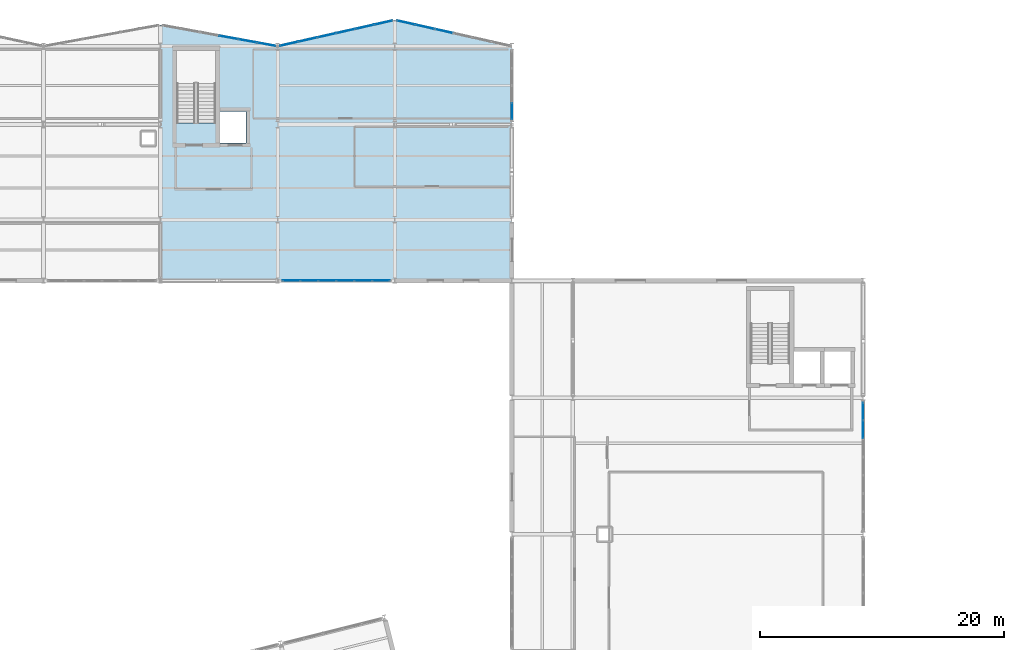
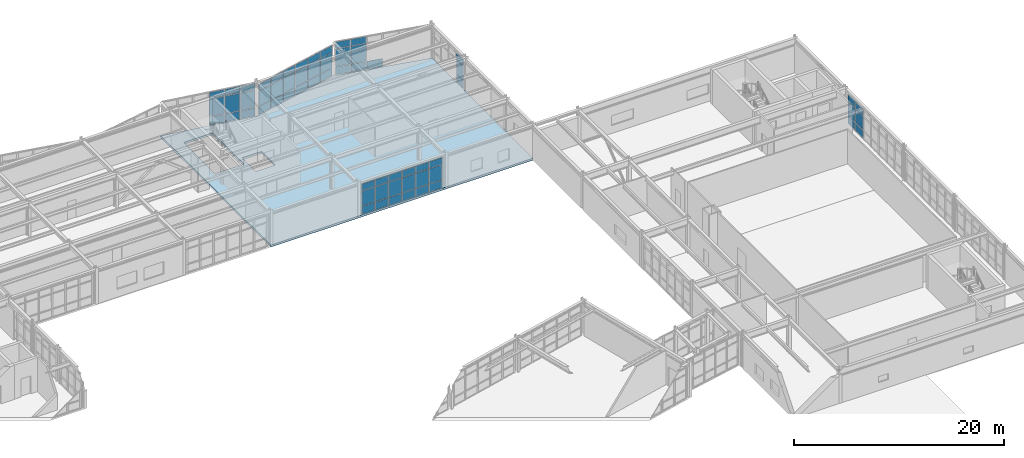
# One storey, part 61 of 88: 61 plates, 1 slab, 6 elements without a shape of their own.
"""IFC4 building model written with IfcOpenShell, lengths in metres."""

from ifc_helpers import new_model, si_unit, direction, frame, origin, origin_2d, place, context, subcontext, project, spatial, polyline, rectangle, outline, extrude, material, layer, layer_set, type_object, element, aggregate, save


model = new_model("IFC4")

# Units and contexts
model_context = context("Model", 3, precision=1e-05, world=origin(), true_north=direction((0.0, 1.0)))
body_context = subcontext(model_context, "Body", "Model", "MODEL_VIEW")
ifc_project = project(units=[si_unit("LENGTHUNIT", "METRE"), si_unit("AREAUNIT", "SQUARE_METRE"), si_unit("VOLUMEUNIT", "CUBIC_METRE"), si_unit("PLANEANGLEUNIT", "RADIAN"), si_unit("MASSUNIT", "GRAM", prefix="KILO")], contexts=[model_context])

# Site, building, storey
site_placement = place(None, origin())
site = spatial("IfcSite", under=ifc_project, at=site_placement, CompositionType="ELEMENT")
building_placement = place(site_placement, origin())
building = spatial("IfcBuilding", under=site, at=building_placement, Name="Nordkorset Police Headquarters", CompositionType="ELEMENT")
storey_placement = place(building_placement, frame((0.0, 0.0, 9.449951171875)))
storey = spatial("IfcBuildingStorey", under=building, at=storey_placement, Name="L02", CompositionType="ELEMENT", Elevation=9.449951171875)

# Curtain wall, plates
ifc_material_1 = material(Name="Aluminium alloy AW-6060", Category="aluminium")
ifc_layer_1 = layer(ifc_material_1, 0.179931640625, Name="Aluminium alloy AW-6060")
ifc_layer_set_1 = layer_set([ifc_layer_1], Name="Aluminium alloy AW-6060")
curtain_wall_type_1 = type_object("IfcCurtainWallType", Name="CW_Unit_948x392", PredefinedType="USERDEFINED", material=ifc_layer_set_1)
curtain_wall_1_placement = place(storey_placement, origin())
curtain_wall_1 = element("IfcCurtainWall", 1, at=curtain_wall_1_placement, inside=storey, type_object=curtain_wall_type_1, Name="Unitised Curtain Wall L02 V2N-3", ObjectType="UNITISED CURTAIN WALL", PredefinedType="USERDEFINED")
ifc_material_2 = material(Name="Low-iron triple glazing", Category="glass")
ifc_layer_2 = layer(ifc_material_2, 0.035888671875, Name="Low-iron triple glazing")
ifc_layer_set_2 = layer_set([ifc_layer_2], Name="Low-iron triple glazing")
plate_type = type_object("IfcPlateType", Name="CW_Panel_TripleGlazing_36", PredefinedType="CURTAIN_PANEL", material=ifc_layer_set_2)
plate_1_placement = place(storey_placement, frame((63.177001953125, 117.533447265625, 0.06494140625), z_axis=(0.0, 0.0, 1.0), x_axis=(0.983787934979, -0.179335715876, 0.0)))
plate_1 = element("IfcPlate", 2, at=plate_1_placement, type_object=plate_type, Name="CW-65 panel 4.1", PredefinedType="CURTAIN_PANEL", context=body_context, shape_type="SweptSolid", body=[
    extrude(rectangle(XDim=1.5146484375, YDim=0.035888671875, at=origin_2d()), origin(), (0.0, 0.0, 1.0), 0.902587890625),
])
plate_2_placement = place(storey_placement, frame((63.177001953125, 117.533447265625, 1.03271484375), z_axis=(0.0, 0.0, 1.0), x_axis=(0.983787934979, -0.179335715876, 0.0)))
plate_2 = element("IfcPlate", 3, at=plate_2_placement, type_object=plate_type, Name="CW-65 panel 4.2", PredefinedType="CURTAIN_PANEL", context=body_context, shape_type="SweptSolid", body=[
    extrude(rectangle(XDim=1.5146484375, YDim=0.035888671875, at=origin_2d()), origin(), (0.0, 0.0, 1.0), 2.0048828125),
])
plate_3_placement = place(storey_placement, frame((63.177001953125, 117.533447265625, 3.1025390625), z_axis=(0.0, 0.0, 1.0), x_axis=(0.983787934979, -0.179335715876, 0.0)))
plate_3 = element("IfcPlate", 4, at=plate_3_placement, type_object=plate_type, Name="CW-65 panel 4.3", PredefinedType="CURTAIN_PANEL", context=body_context, shape_type="SweptSolid", body=[
    extrude(rectangle(XDim=1.5146484375, YDim=0.035888671875, at=origin_2d()), origin(), (0.0, 0.0, 1.0), 0.75244140625),
])
plate_4_placement = place(storey_placement, frame((64.731201171875, 117.25, 0.06494140625), z_axis=(0.0, 0.0, 1.0), x_axis=(0.983787934979, -0.179335715876, 0.0)))
plate_4 = element("IfcPlate", 5, at=plate_4_placement, type_object=plate_type, Name="CW-65 panel 5.1", PredefinedType="CURTAIN_PANEL", context=body_context, shape_type="SweptSolid", body=[
    extrude(rectangle(XDim=1.5146484375, YDim=0.035888671875, at=origin_2d()), origin(), (0.0, 0.0, 1.0), 0.902587890625),
])
plate_5_placement = place(storey_placement, frame((64.731201171875, 117.25, 1.03271484375), z_axis=(0.0, 0.0, 1.0), x_axis=(0.983787934979, -0.179335715876, 0.0)))
plate_5 = element("IfcPlate", 6, at=plate_5_placement, type_object=plate_type, Name="CW-65 panel 5.2", PredefinedType="CURTAIN_PANEL", context=body_context, shape_type="SweptSolid", body=[
    extrude(rectangle(XDim=1.5146484375, YDim=0.035888671875, at=origin_2d()), origin(), (0.0, 0.0, 1.0), 2.0048828125),
])
plate_6_placement = place(storey_placement, frame((64.731201171875, 117.25, 3.1025390625), z_axis=(0.0, 0.0, 1.0), x_axis=(0.983787934979, -0.179335715876, 0.0)))
plate_6 = element("IfcPlate", 7, at=plate_6_placement, type_object=plate_type, Name="CW-65 panel 5.3", PredefinedType="CURTAIN_PANEL", context=body_context, shape_type="SweptSolid", body=[
    extrude(rectangle(XDim=1.5146484375, YDim=0.035888671875, at=origin_2d()), origin(), (0.0, 0.0, 1.0), 0.75244140625),
])
plate_7_placement = place(storey_placement, frame((66.269287109375, 116.9697265625, 0.06494140625), z_axis=(0.0, 0.0, 1.0), x_axis=(0.983787934979, -0.179335715876, 0.0)))
plate_7 = element("IfcPlate", 8, at=plate_7_placement, type_object=plate_type, Name="CW-65 panel 6.1", PredefinedType="CURTAIN_PANEL", context=body_context, shape_type="SweptSolid", body=[
    extrude(rectangle(XDim=1.482177734375, YDim=0.035888671875, at=origin_2d()), origin(), (0.0, 0.0, 1.0), 0.902587890625),
])
plate_8_placement = place(storey_placement, frame((66.269287109375, 116.9697265625, 1.03271484375), z_axis=(0.0, 0.0, 1.0), x_axis=(0.983787934979, -0.179335715876, 0.0)))
plate_8 = element("IfcPlate", 9, at=plate_8_placement, type_object=plate_type, Name="CW-65 panel 6.2", PredefinedType="CURTAIN_PANEL", context=body_context, shape_type="SweptSolid", body=[
    extrude(rectangle(XDim=1.482177734375, YDim=0.035888671875, at=origin_2d()), origin(), (0.0, 0.0, 1.0), 2.0048828125),
])
plate_9_placement = place(storey_placement, frame((66.269287109375, 116.9697265625, 3.1025390625), z_axis=(0.0, 0.0, 1.0), x_axis=(0.983787934979, -0.179335715876, 0.0)))
plate_9 = element("IfcPlate", 10, at=plate_9_placement, type_object=plate_type, Name="CW-65 panel 6.3", PredefinedType="CURTAIN_PANEL", context=body_context, shape_type="SweptSolid", body=[
    extrude(rectangle(XDim=1.482177734375, YDim=0.035888671875, at=origin_2d()), origin(), (0.0, 0.0, 1.0), 0.75244140625),
])
aggregate(curtain_wall_1, [plate_1, plate_2, plate_3, plate_4, plate_5, plate_6, plate_7, plate_8, plate_9])

ifc_material_3 = material(Name="Aluminium alloy AW-6060", Category="aluminium")
ifc_layer_3 = layer(ifc_material_3, 0.179931640625, Name="Aluminium alloy AW-6060")
ifc_layer_set_3 = layer_set([ifc_layer_3], Name="Aluminium alloy AW-6060")
curtain_wall_type_2 = type_object("IfcCurtainWallType", Name="CW_Unit_956x364", PredefinedType="USERDEFINED", material=ifc_layer_set_3)
curtain_wall_2_placement = place(storey_placement, origin())
curtain_wall_2 = element("IfcCurtainWall", 11, at=curtain_wall_2_placement, inside=storey, type_object=curtain_wall_type_2, Name="Unitised Curtain Wall L02 V2N-4", ObjectType="UNITISED CURTAIN WALL", PredefinedType="USERDEFINED")
plate_10_placement = place(storey_placement, frame((68.129638671875, 117.00830078125, 0.06494140625), z_axis=(0.0, 0.0, 1.0), x_axis=(0.975827090814, 0.218544020358, 0.0)))
plate_10 = element("IfcPlate", 12, at=plate_10_placement, type_object=plate_type, Name="CW-36 panel 1.1", PredefinedType="CURTAIN_PANEL", context=body_context, shape_type="SweptSolid", body=[
    extrude(rectangle(XDim=1.495361328125, YDim=0.035888671875, at=origin_2d()), origin(), (0.0, 0.0, 1.0), 0.902587890625),
])
plate_11_placement = place(storey_placement, frame((68.129638671875, 117.00830078125, 1.032470703125), z_axis=(0.0, 0.0, 1.0), x_axis=(0.975827090814, 0.218544020358, 0.0)))
plate_11 = element("IfcPlate", 13, at=plate_11_placement, type_object=plate_type, Name="CW-36 panel 1.2", PredefinedType="CURTAIN_PANEL", context=body_context, shape_type="SweptSolid", body=[
    extrude(rectangle(XDim=1.495361328125, YDim=0.035888671875, at=origin_2d()), origin(), (0.0, 0.0, 1.0), 1.72509765625),
])
plate_12_placement = place(storey_placement, frame((68.129638671875, 117.00830078125, 2.822509765625), z_axis=(0.0, 0.0, 1.0), x_axis=(0.975827090814, 0.218544020358, 0.0)))
plate_12 = element("IfcPlate", 14, at=plate_12_placement, type_object=plate_type, Name="CW-36 panel 1.3", PredefinedType="CURTAIN_PANEL", context=body_context, shape_type="SweptSolid", body=[
    extrude(rectangle(XDim=1.495361328125, YDim=0.035888671875, at=origin_2d()), origin(), (0.0, 0.0, 1.0), 0.75244140625),
])
plate_13_placement = place(storey_placement, frame((69.668212890625, 117.352783203125, 0.06494140625), z_axis=(0.0, 0.0, 1.0), x_axis=(0.975827090814, 0.218544020358, 0.0)))
plate_13 = element("IfcPlate", 15, at=plate_13_placement, type_object=plate_type, Name="CW-36 panel 2.1", PredefinedType="CURTAIN_PANEL", context=body_context, shape_type="SweptSolid", body=[
    extrude(rectangle(XDim=1.528076171875, YDim=0.035888671875, at=origin_2d()), origin(), (0.0, 0.0, 1.0), 0.902587890625),
])
plate_14_placement = place(storey_placement, frame((69.668212890625, 117.352783203125, 1.032470703125), z_axis=(0.0, 0.0, 1.0), x_axis=(0.975827090814, 0.218544020358, 0.0)))
plate_14 = element("IfcPlate", 16, at=plate_14_placement, type_object=plate_type, Name="CW-36 panel 2.2", PredefinedType="CURTAIN_PANEL", context=body_context, shape_type="SweptSolid", body=[
    extrude(rectangle(XDim=1.528076171875, YDim=0.035888671875, at=origin_2d()), origin(), (0.0, 0.0, 1.0), 1.72509765625),
])
plate_15_placement = place(storey_placement, frame((69.668212890625, 117.352783203125, 2.822509765625), z_axis=(0.0, 0.0, 1.0), x_axis=(0.975827090814, 0.218544020358, 0.0)))
plate_15 = element("IfcPlate", 17, at=plate_15_placement, type_object=plate_type, Name="CW-36 panel 2.3", PredefinedType="CURTAIN_PANEL", context=body_context, shape_type="SweptSolid", body=[
    extrude(rectangle(XDim=1.528076171875, YDim=0.035888671875, at=origin_2d()), origin(), (0.0, 0.0, 1.0), 0.75244140625),
])
plate_16_placement = place(storey_placement, frame((71.22265625, 117.700927734375, 0.06494140625), z_axis=(0.0, 0.0, 1.0), x_axis=(0.975827090814, 0.218544020358, 0.0)))
plate_16 = element("IfcPlate", 18, at=plate_16_placement, type_object=plate_type, Name="CW-36 panel 3.1", PredefinedType="CURTAIN_PANEL", context=body_context, shape_type="SweptSolid", body=[
    extrude(rectangle(XDim=1.528076171875, YDim=0.035888671875, at=origin_2d()), origin(), (0.0, 0.0, 1.0), 0.902587890625),
])
plate_17_placement = place(storey_placement, frame((71.22265625, 117.700927734375, 1.032470703125), z_axis=(0.0, 0.0, 1.0), x_axis=(0.975827090814, 0.218544020358, 0.0)))
plate_17 = element("IfcPlate", 19, at=plate_17_placement, type_object=plate_type, Name="CW-36 panel 3.2", PredefinedType="CURTAIN_PANEL", context=body_context, shape_type="SweptSolid", body=[
    extrude(rectangle(XDim=1.528076171875, YDim=0.035888671875, at=origin_2d()), origin(), (0.0, 0.0, 1.0), 1.72509765625),
])
plate_18_placement = place(storey_placement, frame((71.22265625, 117.700927734375, 2.822509765625), z_axis=(0.0, 0.0, 1.0), x_axis=(0.975827090814, 0.218544020358, 0.0)))
plate_18 = element("IfcPlate", 20, at=plate_18_placement, type_object=plate_type, Name="CW-36 panel 3.3", PredefinedType="CURTAIN_PANEL", context=body_context, shape_type="SweptSolid", body=[
    extrude(rectangle(XDim=1.528076171875, YDim=0.035888671875, at=origin_2d()), origin(), (0.0, 0.0, 1.0), 0.75244140625),
])
plate_19_placement = place(storey_placement, frame((72.77734375, 118.049072265625, 0.06494140625), z_axis=(0.0, 0.0, 1.0), x_axis=(0.975827090814, 0.218544020358, 0.0)))
plate_19 = element("IfcPlate", 21, at=plate_19_placement, type_object=plate_type, Name="CW-36 panel 4.1", PredefinedType="CURTAIN_PANEL", context=body_context, shape_type="SweptSolid", body=[
    extrude(rectangle(XDim=1.528076171875, YDim=0.035888671875, at=origin_2d()), origin(), (0.0, 0.0, 1.0), 0.902587890625),
])
plate_20_placement = place(storey_placement, frame((72.77734375, 118.049072265625, 1.032470703125), z_axis=(0.0, 0.0, 1.0), x_axis=(0.975827090814, 0.218544020358, 0.0)))
plate_20 = element("IfcPlate", 22, at=plate_20_placement, type_object=plate_type, Name="CW-36 panel 4.2", PredefinedType="CURTAIN_PANEL", context=body_context, shape_type="SweptSolid", body=[
    extrude(rectangle(XDim=1.528076171875, YDim=0.035888671875, at=origin_2d()), origin(), (0.0, 0.0, 1.0), 1.72509765625),
])
plate_21_placement = place(storey_placement, frame((72.77734375, 118.049072265625, 2.822509765625), z_axis=(0.0, 0.0, 1.0), x_axis=(0.975827090814, 0.218544020358, 0.0)))
plate_21 = element("IfcPlate", 23, at=plate_21_placement, type_object=plate_type, Name="CW-36 panel 4.3", PredefinedType="CURTAIN_PANEL", context=body_context, shape_type="SweptSolid", body=[
    extrude(rectangle(XDim=1.528076171875, YDim=0.035888671875, at=origin_2d()), origin(), (0.0, 0.0, 1.0), 0.75244140625),
])
plate_22_placement = place(storey_placement, frame((74.331787109375, 118.397216796875, 0.06494140625), z_axis=(0.0, 0.0, 1.0), x_axis=(0.975827090814, 0.218544020358, 0.0)))
plate_22 = element("IfcPlate", 24, at=plate_22_placement, type_object=plate_type, Name="CW-36 panel 5.1", PredefinedType="CURTAIN_PANEL", context=body_context, shape_type="SweptSolid", body=[
    extrude(rectangle(XDim=1.528076171875, YDim=0.035888671875, at=origin_2d()), origin(), (0.0, 0.0, 1.0), 0.902587890625),
])
plate_23_placement = place(storey_placement, frame((74.331787109375, 118.397216796875, 1.032470703125), z_axis=(0.0, 0.0, 1.0), x_axis=(0.975827090814, 0.218544020358, 0.0)))
plate_23 = element("IfcPlate", 25, at=plate_23_placement, type_object=plate_type, Name="CW-36 panel 5.2", PredefinedType="CURTAIN_PANEL", context=body_context, shape_type="SweptSolid", body=[
    extrude(rectangle(XDim=1.528076171875, YDim=0.035888671875, at=origin_2d()), origin(), (0.0, 0.0, 1.0), 1.72509765625),
])
plate_24_placement = place(storey_placement, frame((74.331787109375, 118.397216796875, 2.822509765625), z_axis=(0.0, 0.0, 1.0), x_axis=(0.975827090814, 0.218544020358, 0.0)))
plate_24 = element("IfcPlate", 26, at=plate_24_placement, type_object=plate_type, Name="CW-36 panel 5.3", PredefinedType="CURTAIN_PANEL", context=body_context, shape_type="SweptSolid", body=[
    extrude(rectangle(XDim=1.528076171875, YDim=0.035888671875, at=origin_2d()), origin(), (0.0, 0.0, 1.0), 0.75244140625),
])
plate_25_placement = place(storey_placement, frame((75.870361328125, 118.74169921875, 0.06494140625), z_axis=(0.0, 0.0, 1.0), x_axis=(0.975827090814, 0.218544020358, 0.0)))
plate_25 = element("IfcPlate", 27, at=plate_25_placement, type_object=plate_type, Name="CW-36 panel 6.1", PredefinedType="CURTAIN_PANEL", context=body_context, shape_type="SweptSolid", body=[
    extrude(rectangle(XDim=1.495361328125, YDim=0.035888671875, at=origin_2d()), origin(), (0.0, 0.0, 1.0), 0.902587890625),
])
plate_26_placement = place(storey_placement, frame((75.870361328125, 118.74169921875, 1.032470703125), z_axis=(0.0, 0.0, 1.0), x_axis=(0.975827090814, 0.218544020358, 0.0)))
plate_26 = element("IfcPlate", 28, at=plate_26_placement, type_object=plate_type, Name="CW-36 panel 6.2", PredefinedType="CURTAIN_PANEL", context=body_context, shape_type="SweptSolid", body=[
    extrude(rectangle(XDim=1.495361328125, YDim=0.035888671875, at=origin_2d()), origin(), (0.0, 0.0, 1.0), 1.72509765625),
])
plate_27_placement = place(storey_placement, frame((75.870361328125, 118.74169921875, 2.822509765625), z_axis=(0.0, 0.0, 1.0), x_axis=(0.975827090814, 0.218544020358, 0.0)))
plate_27 = element("IfcPlate", 29, at=plate_27_placement, type_object=plate_type, Name="CW-36 panel 6.3", PredefinedType="CURTAIN_PANEL", context=body_context, shape_type="SweptSolid", body=[
    extrude(rectangle(XDim=1.495361328125, YDim=0.035888671875, at=origin_2d()), origin(), (0.0, 0.0, 1.0), 0.75244140625),
])
aggregate(curtain_wall_2, [plate_10, plate_11, plate_12, plate_13, plate_14, plate_15, plate_16, plate_17, plate_18, plate_19, plate_20, plate_21, plate_22, plate_23, plate_24, plate_25, plate_26, plate_27])

ifc_material_4 = material(Name="Aluminium alloy AW-6060", Category="aluminium")
ifc_layer_4 = layer(ifc_material_4, 0.179931640625, Name="Aluminium alloy AW-6060")
ifc_layer_set_4 = layer_set([ifc_layer_4], Name="Aluminium alloy AW-6060")
curtain_wall_type_3 = type_object("IfcCurtainWallType", Name="CW_Unit_888x364", PredefinedType="USERDEFINED", material=ifc_layer_set_4)
curtain_wall_3_placement = place(storey_placement, origin())
curtain_wall_3 = element("IfcCurtainWall", 30, at=curtain_wall_3_placement, inside=storey, type_object=curtain_wall_type_3, Name="Unitised Curtain Wall L02 V2S-4", ObjectType="UNITISED CURTAIN WALL", PredefinedType="USERDEFINED")
plate_28_placement = place(storey_placement, frame((68.316162109375, 97.60009765625, 0.06494140625), z_axis=(0.0, 0.0, 1.0), x_axis=(1.0, 0.0, 0.0)))
plate_28 = element("IfcPlate", 31, at=plate_28_placement, type_object=plate_type, Name="CW-53 panel 1.1", PredefinedType="CURTAIN_PANEL", context=body_context, shape_type="SweptSolid", body=[
    extrude(rectangle(XDim=1.382568359375, YDim=0.035888671875, at=origin_2d()), origin(), (0.0, 0.0, 1.0), 0.902587890625),
])
plate_29_placement = place(storey_placement, frame((68.316162109375, 97.60009765625, 1.032470703125), z_axis=(0.0, 0.0, 1.0), x_axis=(1.0, 0.0, 0.0)))
plate_29 = element("IfcPlate", 32, at=plate_29_placement, type_object=plate_type, Name="CW-53 panel 1.2", PredefinedType="CURTAIN_PANEL", context=body_context, shape_type="SweptSolid", body=[
    extrude(rectangle(XDim=1.382568359375, YDim=0.035888671875, at=origin_2d()), origin(), (0.0, 0.0, 1.0), 1.72509765625),
])
plate_30_placement = place(storey_placement, frame((68.316162109375, 97.60009765625, 2.822509765625), z_axis=(0.0, 0.0, 1.0), x_axis=(1.0, 0.0, 0.0)))
plate_30 = element("IfcPlate", 33, at=plate_30_placement, type_object=plate_type, Name="CW-53 panel 1.3", PredefinedType="CURTAIN_PANEL", context=body_context, shape_type="SweptSolid", body=[
    extrude(rectangle(XDim=1.382568359375, YDim=0.035888671875, at=origin_2d()), origin(), (0.0, 0.0, 1.0), 0.75244140625),
])
plate_31_placement = place(storey_placement, frame((69.780029296875, 97.60009765625, 0.06494140625), z_axis=(0.0, 0.0, 1.0), x_axis=(1.0, 0.0, 0.0)))
plate_31 = element("IfcPlate", 34, at=plate_31_placement, type_object=plate_type, Name="CW-53 panel 2.1", PredefinedType="CURTAIN_PANEL", context=body_context, shape_type="SweptSolid", body=[
    extrude(rectangle(XDim=1.4150390625, YDim=0.035888671875, at=origin_2d()), origin(), (0.0, 0.0, 1.0), 0.902587890625),
])
plate_32_placement = place(storey_placement, frame((69.780029296875, 97.60009765625, 1.032470703125), z_axis=(0.0, 0.0, 1.0), x_axis=(1.0, 0.0, 0.0)))
plate_32 = element("IfcPlate", 35, at=plate_32_placement, type_object=plate_type, Name="CW-53 panel 2.2", PredefinedType="CURTAIN_PANEL", context=body_context, shape_type="SweptSolid", body=[
    extrude(rectangle(XDim=1.4150390625, YDim=0.035888671875, at=origin_2d()), origin(), (0.0, 0.0, 1.0), 1.72509765625),
])
plate_33_placement = place(storey_placement, frame((69.780029296875, 97.60009765625, 2.822509765625), z_axis=(0.0, 0.0, 1.0), x_axis=(1.0, 0.0, 0.0)))
plate_33 = element("IfcPlate", 36, at=plate_33_placement, type_object=plate_type, Name="CW-53 panel 2.3", PredefinedType="CURTAIN_PANEL", context=body_context, shape_type="SweptSolid", body=[
    extrude(rectangle(XDim=1.4150390625, YDim=0.035888671875, at=origin_2d()), origin(), (0.0, 0.0, 1.0), 0.75244140625),
])
plate_34_placement = place(storey_placement, frame((71.260009765625, 97.60009765625, 0.06494140625), z_axis=(0.0, 0.0, 1.0), x_axis=(1.0, 0.0, 0.0)))
plate_34 = element("IfcPlate", 37, at=plate_34_placement, type_object=plate_type, Name="CW-53 panel 3.1", PredefinedType="CURTAIN_PANEL", context=body_context, shape_type="SweptSolid", body=[
    extrude(rectangle(XDim=1.4150390625, YDim=0.035888671875, at=origin_2d()), origin(), (0.0, 0.0, 1.0), 0.902587890625),
])
plate_35_placement = place(storey_placement, frame((71.260009765625, 97.60009765625, 1.032470703125), z_axis=(0.0, 0.0, 1.0), x_axis=(1.0, 0.0, 0.0)))
plate_35 = element("IfcPlate", 38, at=plate_35_placement, type_object=plate_type, Name="CW-53 panel 3.2", PredefinedType="CURTAIN_PANEL", context=body_context, shape_type="SweptSolid", body=[
    extrude(rectangle(XDim=1.4150390625, YDim=0.035888671875, at=origin_2d()), origin(), (0.0, 0.0, 1.0), 1.72509765625),
])
plate_36_placement = place(storey_placement, frame((71.260009765625, 97.60009765625, 2.822509765625), z_axis=(0.0, 0.0, 1.0), x_axis=(1.0, 0.0, 0.0)))
plate_36 = element("IfcPlate", 39, at=plate_36_placement, type_object=plate_type, Name="CW-53 panel 3.3", PredefinedType="CURTAIN_PANEL", context=body_context, shape_type="SweptSolid", body=[
    extrude(rectangle(XDim=1.4150390625, YDim=0.035888671875, at=origin_2d()), origin(), (0.0, 0.0, 1.0), 0.75244140625),
])
plate_37_placement = place(storey_placement, frame((72.739990234375, 97.60009765625, 0.06494140625), z_axis=(0.0, 0.0, 1.0), x_axis=(1.0, 0.0, 0.0)))
plate_37 = element("IfcPlate", 40, at=plate_37_placement, type_object=plate_type, Name="CW-53 panel 4.1", PredefinedType="CURTAIN_PANEL", context=body_context, shape_type="SweptSolid", body=[
    extrude(rectangle(XDim=1.4150390625, YDim=0.035888671875, at=origin_2d()), origin(), (0.0, 0.0, 1.0), 0.902587890625),
])
plate_38_placement = place(storey_placement, frame((72.739990234375, 97.60009765625, 1.032470703125), z_axis=(0.0, 0.0, 1.0), x_axis=(1.0, 0.0, 0.0)))
plate_38 = element("IfcPlate", 41, at=plate_38_placement, type_object=plate_type, Name="CW-53 panel 4.2", PredefinedType="CURTAIN_PANEL", context=body_context, shape_type="SweptSolid", body=[
    extrude(rectangle(XDim=1.4150390625, YDim=0.035888671875, at=origin_2d()), origin(), (0.0, 0.0, 1.0), 1.72509765625),
])
plate_39_placement = place(storey_placement, frame((72.739990234375, 97.60009765625, 2.822509765625), z_axis=(0.0, 0.0, 1.0), x_axis=(1.0, 0.0, 0.0)))
plate_39 = element("IfcPlate", 42, at=plate_39_placement, type_object=plate_type, Name="CW-53 panel 4.3", PredefinedType="CURTAIN_PANEL", context=body_context, shape_type="SweptSolid", body=[
    extrude(rectangle(XDim=1.4150390625, YDim=0.035888671875, at=origin_2d()), origin(), (0.0, 0.0, 1.0), 0.75244140625),
])
plate_40_placement = place(storey_placement, frame((74.219970703125, 97.60009765625, 0.06494140625), z_axis=(0.0, 0.0, 1.0), x_axis=(1.0, 0.0, 0.0)))
plate_40 = element("IfcPlate", 43, at=plate_40_placement, type_object=plate_type, Name="CW-53 panel 5.1", PredefinedType="CURTAIN_PANEL", context=body_context, shape_type="SweptSolid", body=[
    extrude(rectangle(XDim=1.4150390625, YDim=0.035888671875, at=origin_2d()), origin(), (0.0, 0.0, 1.0), 0.902587890625),
])
plate_41_placement = place(storey_placement, frame((74.219970703125, 97.60009765625, 1.032470703125), z_axis=(0.0, 0.0, 1.0), x_axis=(1.0, 0.0, 0.0)))
plate_41 = element("IfcPlate", 44, at=plate_41_placement, type_object=plate_type, Name="CW-53 panel 5.2", PredefinedType="CURTAIN_PANEL", context=body_context, shape_type="SweptSolid", body=[
    extrude(rectangle(XDim=1.4150390625, YDim=0.035888671875, at=origin_2d()), origin(), (0.0, 0.0, 1.0), 1.72509765625),
])
plate_42_placement = place(storey_placement, frame((74.219970703125, 97.60009765625, 2.822509765625), z_axis=(0.0, 0.0, 1.0), x_axis=(1.0, 0.0, 0.0)))
plate_42 = element("IfcPlate", 45, at=plate_42_placement, type_object=plate_type, Name="CW-53 panel 5.3", PredefinedType="CURTAIN_PANEL", context=body_context, shape_type="SweptSolid", body=[
    extrude(rectangle(XDim=1.4150390625, YDim=0.035888671875, at=origin_2d()), origin(), (0.0, 0.0, 1.0), 0.75244140625),
])
plate_43_placement = place(storey_placement, frame((75.683837890625, 97.60009765625, 0.06494140625), z_axis=(0.0, 0.0, 1.0), x_axis=(1.0, 0.0, 0.0)))
plate_43 = element("IfcPlate", 46, at=plate_43_placement, type_object=plate_type, Name="CW-53 panel 6.1", PredefinedType="CURTAIN_PANEL", context=body_context, shape_type="SweptSolid", body=[
    extrude(rectangle(XDim=1.382568359375, YDim=0.035888671875, at=origin_2d()), origin(), (0.0, 0.0, 1.0), 0.902587890625),
])
plate_44_placement = place(storey_placement, frame((75.683837890625, 97.60009765625, 1.032470703125), z_axis=(0.0, 0.0, 1.0), x_axis=(1.0, 0.0, 0.0)))
plate_44 = element("IfcPlate", 47, at=plate_44_placement, type_object=plate_type, Name="CW-53 panel 6.2", PredefinedType="CURTAIN_PANEL", context=body_context, shape_type="SweptSolid", body=[
    extrude(rectangle(XDim=1.382568359375, YDim=0.035888671875, at=origin_2d()), origin(), (0.0, 0.0, 1.0), 1.72509765625),
])
plate_45_placement = place(storey_placement, frame((75.683837890625, 97.60009765625, 2.822509765625), z_axis=(0.0, 0.0, 1.0), x_axis=(1.0, 0.0, 0.0)))
plate_45 = element("IfcPlate", 48, at=plate_45_placement, type_object=plate_type, Name="CW-53 panel 6.3", PredefinedType="CURTAIN_PANEL", context=body_context, shape_type="SweptSolid", body=[
    extrude(rectangle(XDim=1.382568359375, YDim=0.035888671875, at=origin_2d()), origin(), (0.0, 0.0, 1.0), 0.75244140625),
])
aggregate(curtain_wall_3, [plate_28, plate_29, plate_30, plate_31, plate_32, plate_33, plate_34, plate_35, plate_36, plate_37, plate_38, plate_39, plate_40, plate_41, plate_42, plate_43, plate_44, plate_45])

ifc_material_5 = material(Name="Aluminium alloy AW-6060", Category="aluminium")
ifc_layer_5 = layer(ifc_material_5, 0.179931640625, Name="Aluminium alloy AW-6060")
ifc_layer_set_5 = layer_set([ifc_layer_5], Name="Aluminium alloy AW-6060")
curtain_wall_type_4 = type_object("IfcCurtainWallType", Name="CW_Unit_956x392", PredefinedType="USERDEFINED", material=ifc_layer_set_5)
curtain_wall_4_placement = place(storey_placement, origin())
curtain_wall_4 = element("IfcCurtainWall", 49, at=curtain_wall_4_placement, inside=storey, type_object=curtain_wall_type_4, Name="Unitised Curtain Wall L02 V2N-5", ObjectType="UNITISED CURTAIN WALL", PredefinedType="USERDEFINED")
plate_46_placement = place(storey_placement, frame((77.729736328125, 118.74169921875, 0.06494140625), z_axis=(0.0, 0.0, 1.0), x_axis=(0.975827090814, -0.218544020358, 0.0)))
plate_46 = element("IfcPlate", 50, at=plate_46_placement, type_object=plate_type, Name="CW-41 panel 1.1", PredefinedType="CURTAIN_PANEL", context=body_context, shape_type="SweptSolid", body=[
    extrude(rectangle(XDim=1.495361328125, YDim=0.035888671875, at=origin_2d()), origin(), (0.0, 0.0, 1.0), 0.902587890625),
])
plate_47_placement = place(storey_placement, frame((77.729736328125, 118.74169921875, 1.03271484375), z_axis=(0.0, 0.0, 1.0), x_axis=(0.975827090814, -0.218544020358, 0.0)))
plate_47 = element("IfcPlate", 51, at=plate_47_placement, type_object=plate_type, Name="CW-41 panel 1.2", PredefinedType="CURTAIN_PANEL", context=body_context, shape_type="SweptSolid", body=[
    extrude(rectangle(XDim=1.495361328125, YDim=0.035888671875, at=origin_2d()), origin(), (0.0, 0.0, 1.0), 2.0048828125),
])
plate_48_placement = place(storey_placement, frame((77.729736328125, 118.74169921875, 3.1025390625), z_axis=(0.0, 0.0, 1.0), x_axis=(0.975827090814, -0.218544020358, 0.0)))
plate_48 = element("IfcPlate", 52, at=plate_48_placement, type_object=plate_type, Name="CW-41 panel 1.3", PredefinedType="CURTAIN_PANEL", context=body_context, shape_type="SweptSolid", body=[
    extrude(rectangle(XDim=1.495361328125, YDim=0.035888671875, at=origin_2d()), origin(), (0.0, 0.0, 1.0), 0.75244140625),
])
plate_49_placement = place(storey_placement, frame((79.268310546875, 118.397216796875, 0.06494140625), z_axis=(0.0, 0.0, 1.0), x_axis=(0.975827090814, -0.218544020358, 0.0)))
plate_49 = element("IfcPlate", 53, at=plate_49_placement, type_object=plate_type, Name="CW-41 panel 2.1", PredefinedType="CURTAIN_PANEL", context=body_context, shape_type="SweptSolid", body=[
    extrude(rectangle(XDim=1.528076171875, YDim=0.035888671875, at=origin_2d()), origin(), (0.0, 0.0, 1.0), 0.902587890625),
])
plate_50_placement = place(storey_placement, frame((79.268310546875, 118.397216796875, 1.03271484375), z_axis=(0.0, 0.0, 1.0), x_axis=(0.975827090814, -0.218544020358, 0.0)))
plate_50 = element("IfcPlate", 54, at=plate_50_placement, type_object=plate_type, Name="CW-41 panel 2.2", PredefinedType="CURTAIN_PANEL", context=body_context, shape_type="SweptSolid", body=[
    extrude(rectangle(XDim=1.528076171875, YDim=0.035888671875, at=origin_2d()), origin(), (0.0, 0.0, 1.0), 2.0048828125),
])
plate_51_placement = place(storey_placement, frame((79.268310546875, 118.397216796875, 3.1025390625), z_axis=(0.0, 0.0, 1.0), x_axis=(0.975827090814, -0.218544020358, 0.0)))
plate_51 = element("IfcPlate", 55, at=plate_51_placement, type_object=plate_type, Name="CW-41 panel 2.3", PredefinedType="CURTAIN_PANEL", context=body_context, shape_type="SweptSolid", body=[
    extrude(rectangle(XDim=1.528076171875, YDim=0.035888671875, at=origin_2d()), origin(), (0.0, 0.0, 1.0), 0.75244140625),
])
plate_52_placement = place(storey_placement, frame((80.82275390625, 118.049072265625, 0.06494140625), z_axis=(0.0, 0.0, 1.0), x_axis=(0.975827090814, -0.218544020358, 0.0)))
plate_52 = element("IfcPlate", 56, at=plate_52_placement, type_object=plate_type, Name="CW-41 panel 3.1", PredefinedType="CURTAIN_PANEL", context=body_context, shape_type="SweptSolid", body=[
    extrude(rectangle(XDim=1.528076171875, YDim=0.035888671875, at=origin_2d()), origin(), (0.0, 0.0, 1.0), 0.902587890625),
])
aggregate(curtain_wall_4, [plate_46, plate_47, plate_48, plate_49, plate_50, plate_51, plate_52])

ifc_material_6 = material(Name="Aluminium alloy AW-6060", Category="aluminium")
ifc_layer_6 = layer(ifc_material_6, 0.179931640625, Name="Aluminium alloy AW-6060")
ifc_layer_set_6 = layer_set([ifc_layer_6], Name="Aluminium alloy AW-6060")
curtain_wall_type_5 = type_object("IfcCurtainWallType", Name="CW_Unit_568x351", PredefinedType="USERDEFINED", material=ifc_layer_set_6)
curtain_wall_5_placement = place(storey_placement, origin())
curtain_wall_5 = element("IfcCurtainWall", 57, at=curtain_wall_5_placement, inside=storey, type_object=curtain_wall_type_5, Name="Unitised Curtain Wall L02 V2E-1", ObjectType="UNITISED CURTAIN WALL", PredefinedType="USERDEFINED")
plate_53_placement = place(storey_placement, frame((86.39990234375, 111.486328125, 0.06494140625), z_axis=(0.0, 0.0, 1.0), x_axis=(0.0, 1.0, 0.0)))
plate_53 = element("IfcPlate", 58, at=plate_53_placement, type_object=plate_type, Name="CW-57 panel 1.1", PredefinedType="CURTAIN_PANEL", context=body_context, shape_type="SweptSolid", body=[
    extrude(rectangle(XDim=1.322509765625, YDim=0.035888671875, at=origin_2d()), origin(), (0.0, 0.0, 1.0), 0.902587890625),
])
plate_54_placement = place(storey_placement, frame((86.39990234375, 111.486328125, 1.03271484375), z_axis=(0.0, 0.0, 1.0), x_axis=(0.0, 1.0, 0.0)))
plate_54 = element("IfcPlate", 59, at=plate_54_placement, type_object=plate_type, Name="CW-57 panel 1.2", PredefinedType="CURTAIN_PANEL", context=body_context, shape_type="SweptSolid", body=[
    extrude(rectangle(XDim=1.322509765625, YDim=0.035888671875, at=origin_2d()), origin(), (0.0, 0.0, 1.0), 1.594970703125),
])
plate_55_placement = place(storey_placement, frame((86.39990234375, 111.486328125, 2.692626953125), z_axis=(0.0, 0.0, 1.0), x_axis=(0.0, 1.0, 0.0)))
plate_55 = element("IfcPlate", 60, at=plate_55_placement, type_object=plate_type, Name="CW-57 panel 1.3", PredefinedType="CURTAIN_PANEL", context=body_context, shape_type="SweptSolid", body=[
    extrude(rectangle(XDim=1.322509765625, YDim=0.035888671875, at=origin_2d()), origin(), (0.0, 0.0, 1.0), 0.75244140625),
])
aggregate(curtain_wall_5, [plate_53, plate_54, plate_55])

ifc_material_7 = material(Name="Aluminium alloy AW-6060", Category="aluminium")
ifc_layer_7 = layer(ifc_material_7, 0.179931640625, Name="Aluminium alloy AW-6060")
ifc_layer_set_7 = layer_set([ifc_layer_7], Name="Aluminium alloy AW-6060")
curtain_wall_type_6 = type_object("IfcCurtainWallType", Name="CW_Unit_1048x351", PredefinedType="USERDEFINED", material=ifc_layer_set_7)
curtain_wall_6_placement = place(storey_placement, origin())
curtain_wall_6 = element("IfcCurtainWall", 61, at=curtain_wall_6_placement, inside=storey, type_object=curtain_wall_type_6, Name="Unitised Curtain Wall L02 V5E-3", ObjectType="UNITISED CURTAIN WALL", PredefinedType="USERDEFINED")
plate_56_placement = place(storey_placement, frame((115.199951171875, 85.394287109375, 0.06494140625), z_axis=(0.0, 0.0, 1.0), x_axis=(0.0, 1.0, 0.0)))
plate_56 = element("IfcPlate", 62, at=plate_56_placement, type_object=plate_type, Name="CW-72 panel 6.1", PredefinedType="CURTAIN_PANEL", context=body_context, shape_type="SweptSolid", body=[
    extrude(rectangle(XDim=1.43212890625, YDim=0.035888671875, at=origin_2d()), origin(), (0.0, 0.0, 1.0), 0.902587890625),
])
plate_57_placement = place(storey_placement, frame((115.199951171875, 85.394287109375, 1.03271484375), z_axis=(0.0, 0.0, 1.0), x_axis=(0.0, 1.0, 0.0)))
plate_57 = element("IfcPlate", 63, at=plate_57_placement, type_object=plate_type, Name="CW-72 panel 6.2", PredefinedType="CURTAIN_PANEL", context=body_context, shape_type="SweptSolid", body=[
    extrude(rectangle(XDim=1.43212890625, YDim=0.035888671875, at=origin_2d()), origin(), (0.0, 0.0, 1.0), 1.594970703125),
])
plate_58_placement = place(storey_placement, frame((115.199951171875, 85.394287109375, 2.692626953125), z_axis=(0.0, 0.0, 1.0), x_axis=(0.0, 1.0, 0.0)))
plate_58 = element("IfcPlate", 64, at=plate_58_placement, type_object=plate_type, Name="CW-72 panel 6.3", PredefinedType="CURTAIN_PANEL", context=body_context, shape_type="SweptSolid", body=[
    extrude(rectangle(XDim=1.43212890625, YDim=0.035888671875, at=origin_2d()), origin(), (0.0, 0.0, 1.0), 0.75244140625),
])
plate_59_placement = place(storey_placement, frame((115.199951171875, 86.875244140625, 0.06494140625), z_axis=(0.0, 0.0, 1.0), x_axis=(0.0, 1.0, 0.0)))
plate_59 = element("IfcPlate", 65, at=plate_59_placement, type_object=plate_type, Name="CW-72 panel 7.1", PredefinedType="CURTAIN_PANEL", context=body_context, shape_type="SweptSolid", body=[
    extrude(rectangle(XDim=1.399658203125, YDim=0.035888671875, at=origin_2d()), origin(), (0.0, 0.0, 1.0), 0.902587890625),
])
plate_60_placement = place(storey_placement, frame((115.199951171875, 86.875244140625, 1.03271484375), z_axis=(0.0, 0.0, 1.0), x_axis=(0.0, 1.0, 0.0)))
plate_60 = element("IfcPlate", 66, at=plate_60_placement, type_object=plate_type, Name="CW-72 panel 7.2", PredefinedType="CURTAIN_PANEL", context=body_context, shape_type="SweptSolid", body=[
    extrude(rectangle(XDim=1.399658203125, YDim=0.035888671875, at=origin_2d()), origin(), (0.0, 0.0, 1.0), 1.594970703125),
])
plate_61_placement = place(storey_placement, frame((115.199951171875, 86.875244140625, 2.692626953125), z_axis=(0.0, 0.0, 1.0), x_axis=(0.0, 1.0, 0.0)))
plate_61 = element("IfcPlate", 67, at=plate_61_placement, type_object=plate_type, Name="CW-72 panel 7.3", PredefinedType="CURTAIN_PANEL", context=body_context, shape_type="SweptSolid", body=[
    extrude(rectangle(XDim=1.399658203125, YDim=0.035888671875, at=origin_2d()), origin(), (0.0, 0.0, 1.0), 0.75244140625),
])
aggregate(curtain_wall_6, [plate_56, plate_57, plate_58, plate_59, plate_60, plate_61])

# Slab
ifc_material_8 = material(Name="Concrete C35/45", Category="concrete")
ifc_layer_8 = layer(ifc_material_8, 0.239990234375, Name="Concrete C35/45")
ifc_layer_set_8 = layer_set([ifc_layer_8], Name="Concrete C35/45")
slab_type = type_object("IfcSlabType", Name="Slab_Lab_240", PredefinedType="FLOOR", material=ifc_layer_set_8)
slab_placement = place(storey_placement, frame((0.0, 0.0, -0.239990234375)))
element("IfcSlab", 68, at=slab_placement, inside=storey, type_object=slab_type, Name="Composite Floor Slab V2 East L02", PredefinedType="FLOOR", context=body_context, shape_type="SweptSolid", body=[
    extrude(outline(polyline([(67.199951171875, 116.800048828125), (76.800048828125, 118.949951171875), (86.39990234375, 116.800048828125), (86.39990234375, 97.60009765625), (57.60205078125, 97.60009765625), (57.60205078125, 118.550048828125), (67.199951171875, 116.800048828125)]), holes=[polyline([(58.925048828125, 116.47509765625), (58.925048828125, 110.528076171875), (62.125, 110.528076171875), (62.125, 116.47509765625), (58.925048828125, 116.47509765625)]), polyline([(64.625, 111.47509765625), (62.47509765625, 111.47509765625), (62.47509765625, 108.875), (64.625, 108.875), (64.625, 111.47509765625)])]), origin(), (0.0, 0.0, 1.0), 0.239990234375),
])

save(model, "model.ifc")
